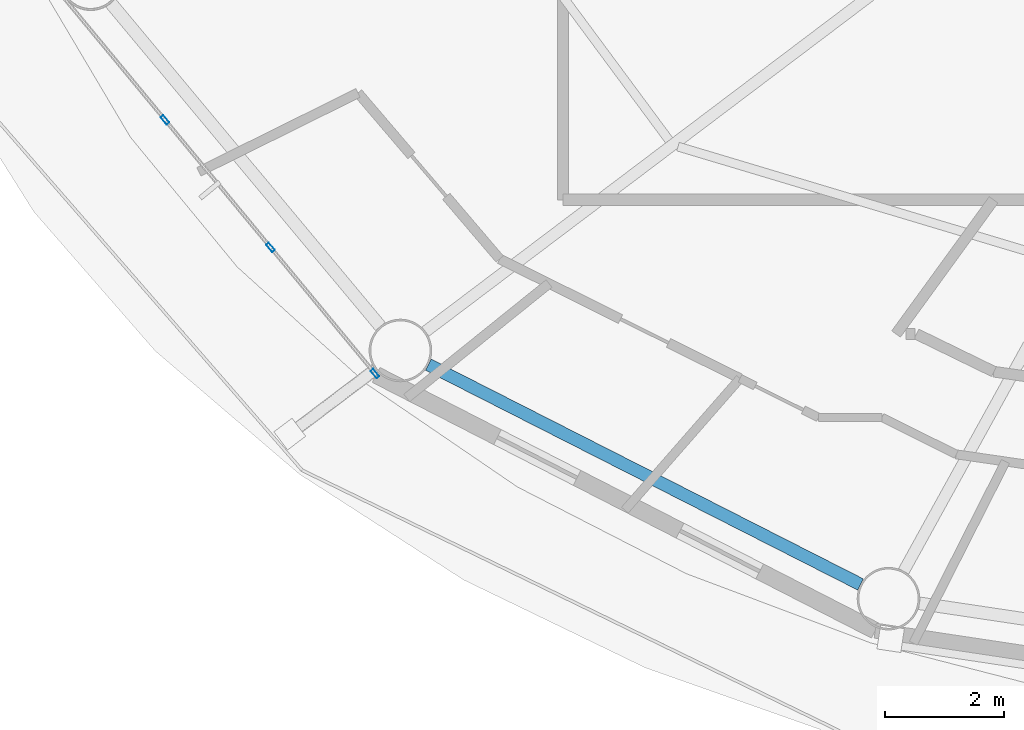
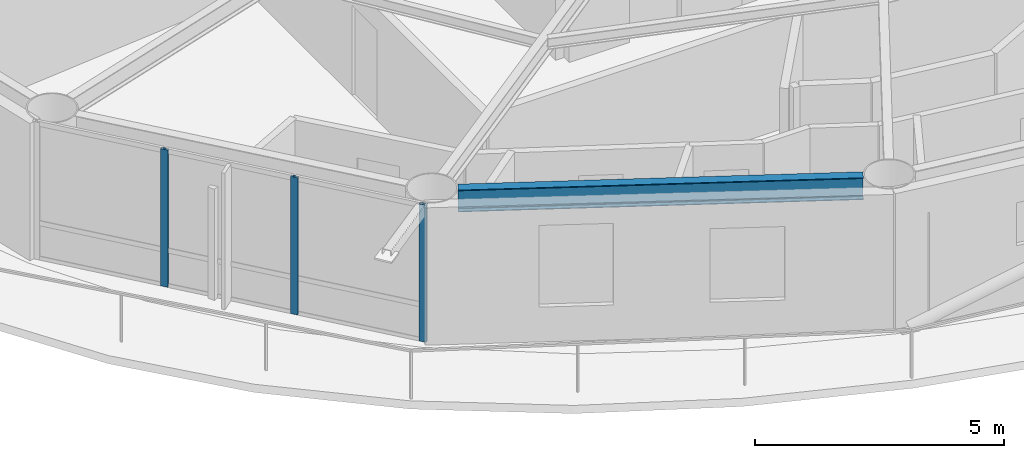
# One storey, part 2 of 23: 3 members, 1 beam, 1 element without a shape of its own.
"""IFC4 building model written with IfcOpenShell, lengths in metres."""

from ifc_helpers import new_model, si_unit, direction, frame, origin, origin_2d, place, context, subcontext, project, spatial, hollow_rectangle, i_section, extrude, material, layer, layer_set, material_profile, profile_set, type_object, element, aggregate, save


model = new_model("IFC4")

# Units and contexts
model_context = context("Model", 3, precision=1e-05, world=origin(), true_north=direction((0.0, 1.0)))
body_context = subcontext(model_context, "Body", "Model", "MODEL_VIEW")
ifc_project = project(units=[si_unit("LENGTHUNIT", "METRE"), si_unit("AREAUNIT", "SQUARE_METRE"), si_unit("VOLUMEUNIT", "CUBIC_METRE"), si_unit("PLANEANGLEUNIT", "RADIAN"), si_unit("MASSUNIT", "GRAM", prefix="KILO")], contexts=[model_context])

# Site, building, storey
site_placement = place(None, origin())
site = spatial("IfcSite", under=ifc_project, at=site_placement, CompositionType="ELEMENT")
building_placement = place(site_placement, origin())
building = spatial("IfcBuilding", under=site, at=building_placement, Name="Sarneth Arch Tower", CompositionType="ELEMENT")
storey_placement = place(building_placement, frame((0.0, 0.0, 249.60009765625)))
storey = spatial("IfcBuildingStorey", under=building, at=storey_placement, Name="L64", CompositionType="ELEMENT", Elevation=249.60009765625)

# Beam
ifc_material_1 = material(Name="Steel S355", Category="steel")
ifc_material_profile_1 = material_profile(ifc_material_1, i_section(OverallWidth=0.2109375, OverallDepth=0.5390625, WebThickness=0.01171875, FlangeThickness=0.018798828125, FilletRadius=0.01806640625, at=origin_2d()), Name="W530x109")
ifc_profile_set_1 = profile_set([ifc_material_profile_1], Name="Steel S355")
beam_type = type_object("IfcBeamType", Name="BM-RAD-530B", PredefinedType="BEAM", material=ifc_profile_set_1)
beam_placement = place(storey_placement, frame((30.49267578125, 28.185546875, 3.09033203125), z_axis=(0.891368271482, -0.453279830342, 0.0), x_axis=(0.453279830342, 0.891368271482, 0.0)))
element("IfcBeam", 1, at=beam_placement, inside=storey, type_object=beam_type, Name="L64 Perimeter spandrel beam 11", PredefinedType="BEAM", context=body_context, shape_type="SweptSolid", body=[
    extrude(i_section(OverallWidth=0.2109375, OverallDepth=0.5390625, WebThickness=0.01171875, FlangeThickness=0.018798828125, FilletRadius=0.01806640625, at=origin_2d()), origin(), (0.0, 0.0, 1.0), 8.1318359375),
])

# Curtain wall, members
ifc_material_2 = material(Name="Anodised aluminium Type AA25 and solar-control low-e laminated IGU", Category="aluminium")
ifc_layer = layer(ifc_material_2, 0.179931640625)
ifc_layer_set = layer_set([ifc_layer], Name="Anodised aluminium Type AA25 and solar-control low-e laminated IGU")
curtain_wall_type = type_object("IfcCurtainWallType", Name="CW-RES-HIGH", PredefinedType="NOTDEFINED", material=ifc_layer_set)
curtain_wall_placement = place(storey_placement, origin())
curtain_wall = element("IfcCurtainWall", 2, at=curtain_wall_placement, inside=storey, type_object=curtain_wall_type, Name="L64 Unitised curtain wall facet 10", PredefinedType="NOTDEFINED")
ifc_material_3 = material(Name="Anodised Aluminium 6063-T6", Category="aluminium")
ifc_material_profile_2 = material_profile(ifc_material_3, hollow_rectangle(XDim=0.06005859375, YDim=0.159912109375, WallThickness=0.00390625, at=origin_2d()), Name="AL-MULL-160x60x4")
ifc_profile_set_2 = profile_set([ifc_material_profile_2], Name="Anodised Aluminium 6063-T6")
member_type = type_object("IfcMemberType", Name="CW-MULLION", PredefinedType="MULLION", material=ifc_profile_set_2)
member_1_placement = place(storey_placement, frame((26.07666015625, 32.29150390625, 0.0), z_axis=(0.0, 0.0, 1.0), x_axis=(0.770359245933, 0.637610094184, 0.0)))
member_1 = element("IfcMember", 3, at=member_1_placement, type_object=member_type, Name="CW-SYS-6 mullion 2", PredefinedType="MULLION", context=body_context, shape_type="SweptSolid", body=[
    extrude(hollow_rectangle(XDim=0.06005859375, YDim=0.159912109375, WallThickness=0.00390625, at=origin_2d()), origin(), (0.0, 0.0, 1.0), 3.35986328125),
])
member_2_placement = place(storey_placement, frame((27.84716796875, 30.15234375, 0.0), z_axis=(0.0, 0.0, 1.0), x_axis=(0.770359245933, 0.637610094184, 0.0)))
member_2 = element("IfcMember", 4, at=member_2_placement, type_object=member_type, Name="CW-SYS-6 mullion 3", PredefinedType="MULLION", context=body_context, shape_type="SweptSolid", body=[
    extrude(hollow_rectangle(XDim=0.06005859375, YDim=0.159912109375, WallThickness=0.00390625, at=origin_2d()), origin(), (0.0, 0.0, 1.0), 3.35986328125),
])
member_3_placement = place(storey_placement, frame((29.598388671875, 28.03662109375, 0.0), z_axis=(0.0, 0.0, 1.0), x_axis=(0.770359245933, 0.637610094184, 0.0)))
member_3 = element("IfcMember", 5, at=member_3_placement, type_object=member_type, Name="CW-SYS-6 mullion 4", PredefinedType="MULLION", context=body_context, shape_type="SweptSolid", body=[
    extrude(hollow_rectangle(XDim=0.06005859375, YDim=0.159912109375, WallThickness=0.00390625, at=origin_2d()), origin(), (0.0, 0.0, 1.0), 3.35986328125),
])
aggregate(curtain_wall, [member_1, member_2, member_3])

save(model, "model.ifc")
